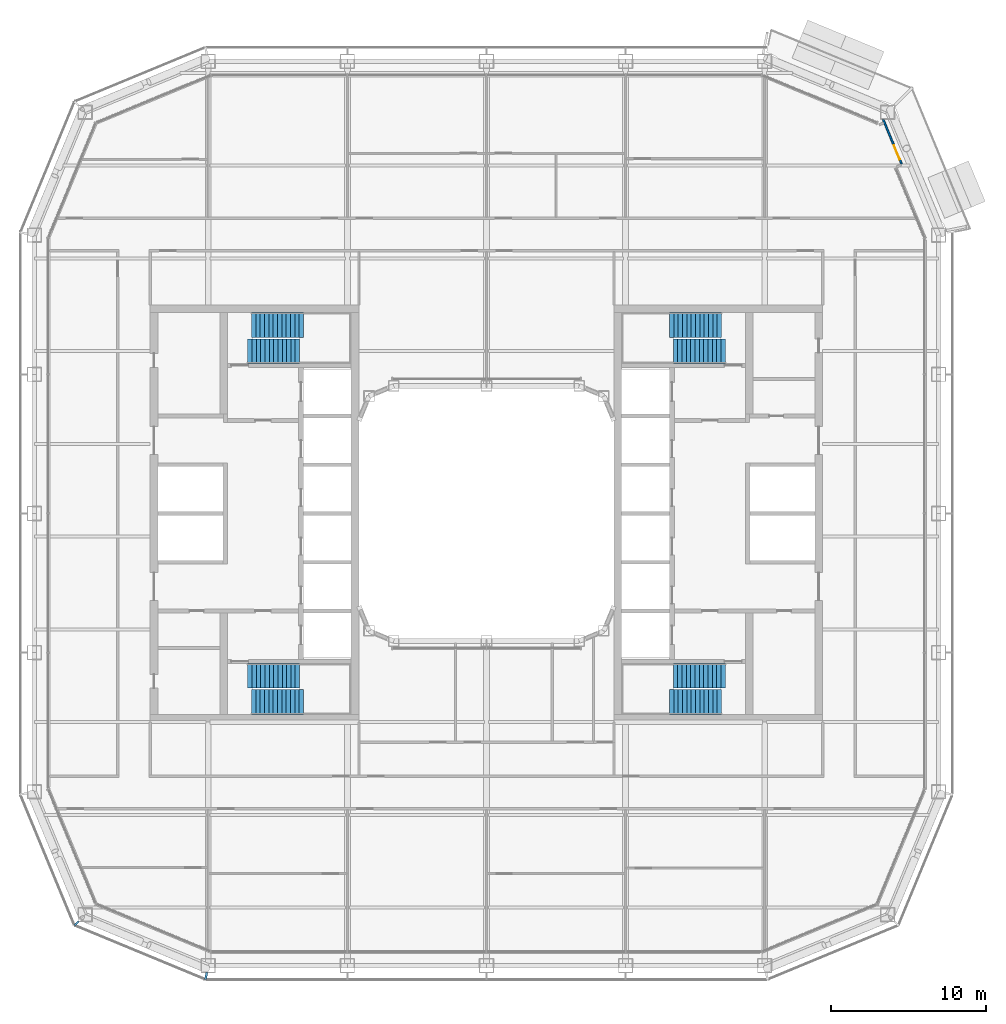
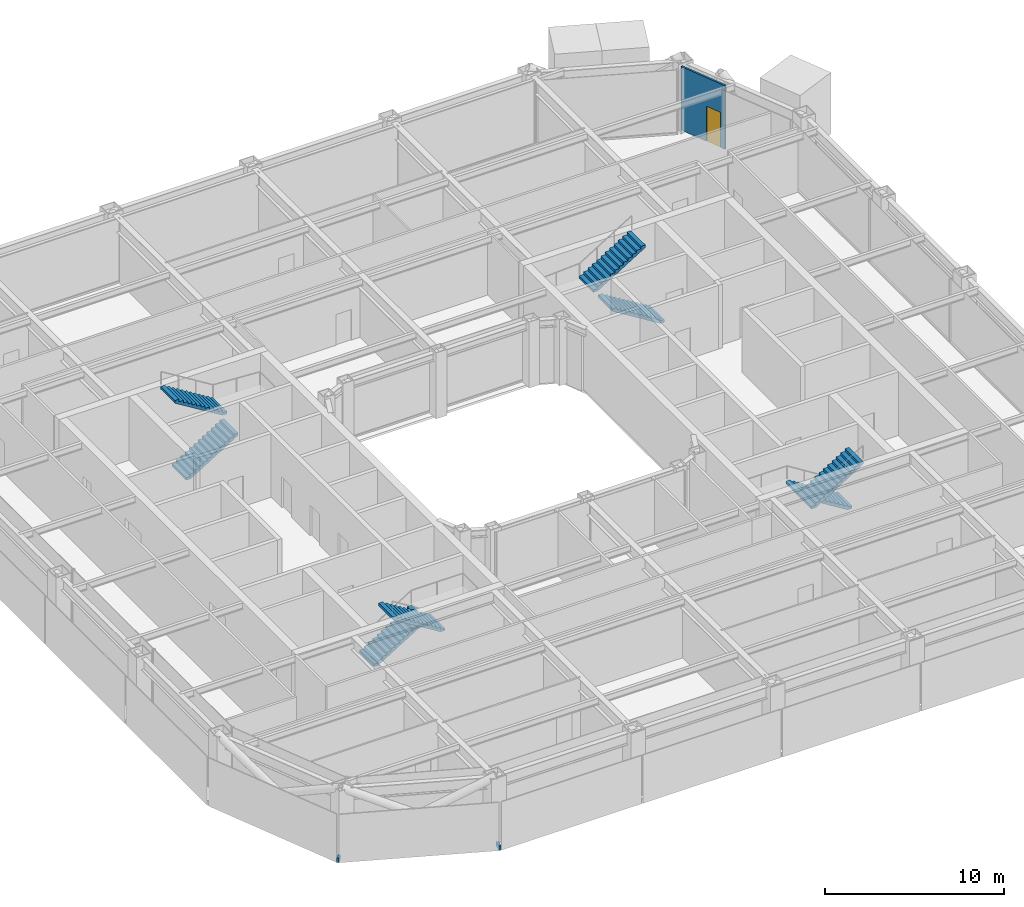
# One storey, part 15 of 24: 8 stair flights, 2 discrete accessories, 1 door, 1 wall, 1 opening, 4 elements without a shape of their own.
"""IFC4 building model written with IfcOpenShell, lengths in metres."""

from ifc_helpers import new_model, si_unit, direction, frame, frame_2d, origin, origin_2d, place, context, subcontext, project, spatial, polyline, rectangle, outline, extrude, material, layer, layer_set, type_object, element, fill, aggregate, save


model = new_model("IFC4")

# Units and contexts
model_context = context("Model", 3, precision=1e-05, world=origin(), true_north=direction((0.0, 1.0)))
body_context = subcontext(model_context, "Body", "Model", "MODEL_VIEW")
ifc_project = project(units=[si_unit("LENGTHUNIT", "METRE"), si_unit("AREAUNIT", "SQUARE_METRE"), si_unit("VOLUMEUNIT", "CUBIC_METRE"), si_unit("PLANEANGLEUNIT", "RADIAN"), si_unit("MASSUNIT", "GRAM", prefix="KILO")], contexts=[model_context])

# Site, building, storey
site_placement = place(None, origin())
site = spatial("IfcSite", under=ifc_project, at=site_placement, CompositionType="ELEMENT")
building_placement = place(site_placement, origin())
building = spatial("IfcBuilding", under=site, at=building_placement, Name="Siwar Civic Tower", CompositionType="ELEMENT")
storey_placement = place(building_placement, frame((0.0, 0.0, 113.699951171875)))
storey = spatial("IfcBuildingStorey", under=building, at=storey_placement, Name="L24", CompositionType="ELEMENT", Elevation=113.699951171875)

# Wall, opening, door
ifc_material_1 = material(Name="Aluminium clad insulated panel", Category="aluminium")
ifc_layer = layer(ifc_material_1, 0.1201171875)
ifc_layer_set = layer_set([ifc_layer], Name="Aluminium clad insulated panel")
wall_type = type_object("IfcWallType", Name="ENV-WALL-BAL", PredefinedType="STANDARD", material=ifc_layer_set)
wall_placement = place(storey_placement, frame((26.8515625, 22.614501953125, 0.0), z_axis=(0.0, 0.0, 1.0), x_axis=(-0.382708655389, 0.923869084389, 0.0)))
wall = element("IfcWall", 1, at=wall_placement, inside=storey, type_object=wall_type, Name="Balcony door wall NE1", PredefinedType="STANDARD", context=body_context, shape_type="SweptSolid", body=[
    extrude(rectangle(XDim=3.1015625, YDim=0.1201171875, at=frame_2d((1.55078125, 0.0))), origin(), (0.0, 0.0, 1.0), 4.35009765625),
])
opening_placement = place(wall_placement, frame((0.300048828125, 0.0, 0.0)))
opening = element("IfcOpeningElement", 2, at=opening_placement, cuts=wall, Name="Opening D-BAL", PredefinedType="OPENING", context=body_context, shape_type="SweptSolid", body=[
    extrude(rectangle(XDim=1.0, YDim=2.39990234375, at=frame_2d((0.5, 1.199951171875))), frame((0.0, 0.070068359375, 0.0), z_axis=(0.0, -1.0, 0.0), x_axis=(1.0, 0.0, 0.0)), (0.0, 0.0, 1.0), 0.14013671875),
])
ifc_material_2 = material(Name="Aluminium and glass", Category="aluminium")
door_type = type_object("IfcDoorType", Name="ENV-DOOR-BAL", OperationType="SINGLE_SWING_LEFT", PredefinedType="DOOR", material=ifc_material_2)
door_placement = place(opening_placement, origin())
door = element("IfcDoor", 3, at=door_placement, inside=storey, type_object=door_type, Name="Balcony door NE", OperationType="SINGLE_SWING_LEFT", OverallHeight=2.39990234375, OverallWidth=1.0, PredefinedType="DOOR", context=body_context, shape_type="SweptSolid", body=[
    extrude(rectangle(XDim=1.0, YDim=2.39990234375, at=frame_2d((0.5, 1.199951171875))), frame((0.0, 0.02490234375, 0.0), z_axis=(0.0, -1.0, 0.0), x_axis=(1.0, 0.0, 0.0)), (0.0, 0.0, 1.0), 0.050048828125),
])
fill(opening, door)

# Stair, stair flights
ifc_material_3 = material(Name="Concrete C40/50", Category="concrete")
stair_type = type_object("IfcStairType", Name="CORE-STAIR", PredefinedType="TWO_STRAIGHT_RUN_STAIR", material=ifc_material_3)
stair_1_placement = place(storey_placement, origin())
stair_1 = element("IfcStair", 4, at=stair_1_placement, inside=storey, type_object=stair_type, Name="Exit stair ST1", PredefinedType="TWO_STRAIGHT_RUN_STAIR")
ifc_material_4 = material(Name="Concrete C40/50", Category="concrete")
stair_flight_type = type_object("IfcStairFlightType", Name="CORE-STAIR-FLIGHT", PredefinedType="STRAIGHT", material=ifc_material_4)
stair_flight_1_placement = place(storey_placement, frame((-15.449951171875, 10.5, 0.0), z_axis=(0.0, 0.0, 1.0), x_axis=(1.0, 0.0, 0.0)))
stair_flight_1 = element("IfcStairFlight", 5, at=stair_flight_1_placement, type_object=stair_flight_type, Name="ST1 flight 1", NumberOfRisers=13, NumberOfTreads=12, PredefinedType="STRAIGHT", RiserHeight=0.173076923, TreadLength=0.28, context=body_context, shape_type="SweptSolid", body=[
    extrude(outline(polyline([(0.0, 0.0), (0.0, 0.173095703125), (0.280029296875, 0.173095703125), (0.280029296875, 0.34619140625), (0.56005859375, 0.34619140625), (0.56005859375, 0.519287109375), (0.840087890625, 0.519287109375), (0.840087890625, 0.6923828125), (1.1201171875, 0.6923828125), (1.1201171875, 0.865478515625), (1.39990234375, 0.865478515625), (1.39990234375, 1.03857421875), (1.679931640625, 1.03857421875), (1.679931640625, 1.21142578125), (1.9599609375, 1.21142578125), (1.9599609375, 1.384521484375), (2.239990234375, 1.384521484375), (2.239990234375, 1.5576171875), (2.52001953125, 1.5576171875), (2.52001953125, 1.730712890625), (2.800048828125, 1.730712890625), (2.800048828125, 1.90380859375), (3.080078125, 1.90380859375), (3.080078125, 2.076904296875), (3.360107421875, 2.076904296875), (3.360107421875, 2.25), (3.360107421875, 1.900634765625), (0.28515625, 0.0), (0.0, 0.0)])), frame((0.0, 0.800048828125, 0.0), z_axis=(0.0, -1.0, 0.0), x_axis=(1.0, 0.0, 0.0)), (0.0, 0.0, 1.0), 1.60009765625),
])
stair_flight_2_placement = place(storey_placement, frame((-11.840087890625, 12.199951171875, 2.25), z_axis=(0.0, 0.0, 1.0), x_axis=(-1.0, 0.0, 0.0)))
stair_flight_2 = element("IfcStairFlight", 6, at=stair_flight_2_placement, type_object=stair_flight_type, Name="ST1 flight 2", NumberOfRisers=13, NumberOfTreads=12, PredefinedType="STRAIGHT", RiserHeight=0.173076923, TreadLength=0.28, context=body_context, shape_type="SweptSolid", body=[
    extrude(outline(polyline([(0.0, 0.0), (0.0, 0.173095703125), (0.280029296875, 0.173095703125), (0.280029296875, 0.34619140625), (0.56005859375, 0.34619140625), (0.56005859375, 0.519287109375), (0.840087890625, 0.519287109375), (0.840087890625, 0.6923828125), (1.1201171875, 0.6923828125), (1.1201171875, 0.865478515625), (1.39990234375, 0.865478515625), (1.39990234375, 1.03857421875), (1.679931640625, 1.03857421875), (1.679931640625, 1.21142578125), (1.9599609375, 1.21142578125), (1.9599609375, 1.384521484375), (2.239990234375, 1.384521484375), (2.239990234375, 1.5576171875), (2.52001953125, 1.5576171875), (2.52001953125, 1.730712890625), (2.800048828125, 1.730712890625), (2.800048828125, 1.90380859375), (3.080078125, 1.90380859375), (3.080078125, 2.076904296875), (3.360107421875, 2.076904296875), (3.360107421875, 2.25), (3.360107421875, 1.900634765625), (0.28515625, 0.0), (0.0, 0.0)])), frame((0.0, 0.800048828125, 0.0), z_axis=(0.0, -1.0, 0.0), x_axis=(1.0, 0.0, 0.0)), (0.0, 0.0, 1.0), 1.60009765625),
])
aggregate(stair_1, [stair_flight_1, stair_flight_2])

stair_2_placement = place(storey_placement, origin())
stair_2 = element("IfcStair", 7, at=stair_2_placement, inside=storey, type_object=stair_type, Name="Exit stair ST2", PredefinedType="TWO_STRAIGHT_RUN_STAIR")
stair_flight_3_placement = place(storey_placement, frame((-15.449951171875, -10.5, 0.0), z_axis=(0.0, 0.0, 1.0), x_axis=(1.0, 0.0, 0.0)))
stair_flight_3 = element("IfcStairFlight", 8, at=stair_flight_3_placement, type_object=stair_flight_type, Name="ST2 flight 1", NumberOfRisers=13, NumberOfTreads=12, PredefinedType="STRAIGHT", RiserHeight=0.173076923, TreadLength=0.28, context=body_context, shape_type="SweptSolid", body=[
    extrude(outline(polyline([(0.0, 0.0), (0.0, 0.173095703125), (0.280029296875, 0.173095703125), (0.280029296875, 0.34619140625), (0.56005859375, 0.34619140625), (0.56005859375, 0.519287109375), (0.840087890625, 0.519287109375), (0.840087890625, 0.6923828125), (1.1201171875, 0.6923828125), (1.1201171875, 0.865478515625), (1.39990234375, 0.865478515625), (1.39990234375, 1.03857421875), (1.679931640625, 1.03857421875), (1.679931640625, 1.21142578125), (1.9599609375, 1.21142578125), (1.9599609375, 1.384521484375), (2.239990234375, 1.384521484375), (2.239990234375, 1.5576171875), (2.52001953125, 1.5576171875), (2.52001953125, 1.730712890625), (2.800048828125, 1.730712890625), (2.800048828125, 1.90380859375), (3.080078125, 1.90380859375), (3.080078125, 2.076904296875), (3.360107421875, 2.076904296875), (3.360107421875, 2.25), (3.360107421875, 1.900634765625), (0.28515625, 0.0), (0.0, 0.0)])), frame((0.0, 0.800048828125, 0.0), z_axis=(0.0, -1.0, 0.0), x_axis=(1.0, 0.0, 0.0)), (0.0, 0.0, 1.0), 1.60009765625),
])
stair_flight_4_placement = place(storey_placement, frame((-11.840087890625, -12.199951171875, 2.25), z_axis=(0.0, 0.0, 1.0), x_axis=(-1.0, 0.0, 0.0)))
stair_flight_4 = element("IfcStairFlight", 9, at=stair_flight_4_placement, type_object=stair_flight_type, Name="ST2 flight 2", NumberOfRisers=13, NumberOfTreads=12, PredefinedType="STRAIGHT", RiserHeight=0.173076923, TreadLength=0.28, context=body_context, shape_type="SweptSolid", body=[
    extrude(outline(polyline([(0.0, 0.0), (0.0, 0.173095703125), (0.280029296875, 0.173095703125), (0.280029296875, 0.34619140625), (0.56005859375, 0.34619140625), (0.56005859375, 0.519287109375), (0.840087890625, 0.519287109375), (0.840087890625, 0.6923828125), (1.1201171875, 0.6923828125), (1.1201171875, 0.865478515625), (1.39990234375, 0.865478515625), (1.39990234375, 1.03857421875), (1.679931640625, 1.03857421875), (1.679931640625, 1.21142578125), (1.9599609375, 1.21142578125), (1.9599609375, 1.384521484375), (2.239990234375, 1.384521484375), (2.239990234375, 1.5576171875), (2.52001953125, 1.5576171875), (2.52001953125, 1.730712890625), (2.800048828125, 1.730712890625), (2.800048828125, 1.90380859375), (3.080078125, 1.90380859375), (3.080078125, 2.076904296875), (3.360107421875, 2.076904296875), (3.360107421875, 2.25), (3.360107421875, 1.900634765625), (0.28515625, 0.0), (0.0, 0.0)])), frame((0.0, 0.800048828125, 0.0), z_axis=(0.0, -1.0, 0.0), x_axis=(1.0, 0.0, 0.0)), (0.0, 0.0, 1.0), 1.60009765625),
])
aggregate(stair_2, [stair_flight_3, stair_flight_4])

stair_3_placement = place(storey_placement, origin())
stair_3 = element("IfcStair", 10, at=stair_3_placement, inside=storey, type_object=stair_type, Name="Exit stair ST3", PredefinedType="TWO_STRAIGHT_RUN_STAIR")
stair_flight_5_placement = place(storey_placement, frame((15.449951171875, 10.5, 0.0), z_axis=(0.0, 0.0, 1.0), x_axis=(-1.0, 0.0, 0.0)))
stair_flight_5 = element("IfcStairFlight", 11, at=stair_flight_5_placement, type_object=stair_flight_type, Name="ST3 flight 1", NumberOfRisers=13, NumberOfTreads=12, PredefinedType="STRAIGHT", RiserHeight=0.173076923, TreadLength=0.28, context=body_context, shape_type="SweptSolid", body=[
    extrude(outline(polyline([(0.0, 0.0), (0.0, 0.173095703125), (0.280029296875, 0.173095703125), (0.280029296875, 0.34619140625), (0.56005859375, 0.34619140625), (0.56005859375, 0.519287109375), (0.840087890625, 0.519287109375), (0.840087890625, 0.6923828125), (1.1201171875, 0.6923828125), (1.1201171875, 0.865478515625), (1.39990234375, 0.865478515625), (1.39990234375, 1.03857421875), (1.679931640625, 1.03857421875), (1.679931640625, 1.21142578125), (1.9599609375, 1.21142578125), (1.9599609375, 1.384521484375), (2.239990234375, 1.384521484375), (2.239990234375, 1.5576171875), (2.52001953125, 1.5576171875), (2.52001953125, 1.730712890625), (2.800048828125, 1.730712890625), (2.800048828125, 1.90380859375), (3.080078125, 1.90380859375), (3.080078125, 2.076904296875), (3.360107421875, 2.076904296875), (3.360107421875, 2.25), (3.360107421875, 1.900634765625), (0.28515625, 0.0), (0.0, 0.0)])), frame((0.0, 0.800048828125, 0.0), z_axis=(0.0, -1.0, 0.0), x_axis=(1.0, 0.0, 0.0)), (0.0, 0.0, 1.0), 1.60009765625),
])
stair_flight_6_placement = place(storey_placement, frame((11.840087890625, 12.199951171875, 2.25), z_axis=(0.0, 0.0, 1.0), x_axis=(1.0, 0.0, 0.0)))
stair_flight_6 = element("IfcStairFlight", 12, at=stair_flight_6_placement, type_object=stair_flight_type, Name="ST3 flight 2", NumberOfRisers=13, NumberOfTreads=12, PredefinedType="STRAIGHT", RiserHeight=0.173076923, TreadLength=0.28, context=body_context, shape_type="SweptSolid", body=[
    extrude(outline(polyline([(0.0, 0.0), (0.0, 0.173095703125), (0.280029296875, 0.173095703125), (0.280029296875, 0.34619140625), (0.56005859375, 0.34619140625), (0.56005859375, 0.519287109375), (0.840087890625, 0.519287109375), (0.840087890625, 0.6923828125), (1.1201171875, 0.6923828125), (1.1201171875, 0.865478515625), (1.39990234375, 0.865478515625), (1.39990234375, 1.03857421875), (1.679931640625, 1.03857421875), (1.679931640625, 1.21142578125), (1.9599609375, 1.21142578125), (1.9599609375, 1.384521484375), (2.239990234375, 1.384521484375), (2.239990234375, 1.5576171875), (2.52001953125, 1.5576171875), (2.52001953125, 1.730712890625), (2.800048828125, 1.730712890625), (2.800048828125, 1.90380859375), (3.080078125, 1.90380859375), (3.080078125, 2.076904296875), (3.360107421875, 2.076904296875), (3.360107421875, 2.25), (3.360107421875, 1.900634765625), (0.28515625, 0.0), (0.0, 0.0)])), frame((0.0, 0.800048828125, 0.0), z_axis=(0.0, -1.0, 0.0), x_axis=(1.0, 0.0, 0.0)), (0.0, 0.0, 1.0), 1.60009765625),
])
aggregate(stair_3, [stair_flight_5, stair_flight_6])

stair_4_placement = place(storey_placement, origin())
stair_4 = element("IfcStair", 13, at=stair_4_placement, inside=storey, type_object=stair_type, Name="Exit stair ST4", PredefinedType="TWO_STRAIGHT_RUN_STAIR")
stair_flight_7_placement = place(storey_placement, frame((15.449951171875, -10.5, 0.0), z_axis=(0.0, 0.0, 1.0), x_axis=(-1.0, 0.0, 0.0)))
stair_flight_7 = element("IfcStairFlight", 14, at=stair_flight_7_placement, type_object=stair_flight_type, Name="ST4 flight 1", NumberOfRisers=13, NumberOfTreads=12, PredefinedType="STRAIGHT", RiserHeight=0.173076923, TreadLength=0.28, context=body_context, shape_type="SweptSolid", body=[
    extrude(outline(polyline([(0.0, 0.0), (0.0, 0.173095703125), (0.280029296875, 0.173095703125), (0.280029296875, 0.34619140625), (0.56005859375, 0.34619140625), (0.56005859375, 0.519287109375), (0.840087890625, 0.519287109375), (0.840087890625, 0.6923828125), (1.1201171875, 0.6923828125), (1.1201171875, 0.865478515625), (1.39990234375, 0.865478515625), (1.39990234375, 1.03857421875), (1.679931640625, 1.03857421875), (1.679931640625, 1.21142578125), (1.9599609375, 1.21142578125), (1.9599609375, 1.384521484375), (2.239990234375, 1.384521484375), (2.239990234375, 1.5576171875), (2.52001953125, 1.5576171875), (2.52001953125, 1.730712890625), (2.800048828125, 1.730712890625), (2.800048828125, 1.90380859375), (3.080078125, 1.90380859375), (3.080078125, 2.076904296875), (3.360107421875, 2.076904296875), (3.360107421875, 2.25), (3.360107421875, 1.900634765625), (0.28515625, 0.0), (0.0, 0.0)])), frame((0.0, 0.800048828125, 0.0), z_axis=(0.0, -1.0, 0.0), x_axis=(1.0, 0.0, 0.0)), (0.0, 0.0, 1.0), 1.60009765625),
])
stair_flight_8_placement = place(storey_placement, frame((11.840087890625, -12.199951171875, 2.25), z_axis=(0.0, 0.0, 1.0), x_axis=(1.0, 0.0, 0.0)))
stair_flight_8 = element("IfcStairFlight", 15, at=stair_flight_8_placement, type_object=stair_flight_type, Name="ST4 flight 2", NumberOfRisers=13, NumberOfTreads=12, PredefinedType="STRAIGHT", RiserHeight=0.173076923, TreadLength=0.28, context=body_context, shape_type="SweptSolid", body=[
    extrude(outline(polyline([(0.0, 0.0), (0.0, 0.173095703125), (0.280029296875, 0.173095703125), (0.280029296875, 0.34619140625), (0.56005859375, 0.34619140625), (0.56005859375, 0.519287109375), (0.840087890625, 0.519287109375), (0.840087890625, 0.6923828125), (1.1201171875, 0.6923828125), (1.1201171875, 0.865478515625), (1.39990234375, 0.865478515625), (1.39990234375, 1.03857421875), (1.679931640625, 1.03857421875), (1.679931640625, 1.21142578125), (1.9599609375, 1.21142578125), (1.9599609375, 1.384521484375), (2.239990234375, 1.384521484375), (2.239990234375, 1.5576171875), (2.52001953125, 1.5576171875), (2.52001953125, 1.730712890625), (2.800048828125, 1.730712890625), (2.800048828125, 1.90380859375), (3.080078125, 1.90380859375), (3.080078125, 2.076904296875), (3.360107421875, 2.076904296875), (3.360107421875, 2.25), (3.360107421875, 1.900634765625), (0.28515625, 0.0), (0.0, 0.0)])), frame((0.0, 0.800048828125, 0.0), z_axis=(0.0, -1.0, 0.0), x_axis=(1.0, 0.0, 0.0)), (0.0, 0.0, 1.0), 1.60009765625),
])
aggregate(stair_4, [stair_flight_7, stair_flight_8])

# Discrete accessories
ifc_material_5 = material(Name="Stainless steel 316", Category="steel")
discrete_accessory_type = type_object("IfcDiscreteAccessoryType", Name="ENV-BRACKET", PredefinedType="BRACKET", material=ifc_material_5)
discrete_accessory_1_placement = place(storey_placement, frame((-18.13232421875, -29.915283203125, -0.14990234375), z_axis=(0.0, 0.0, 1.0), x_axis=(-0.195090322016, -0.980785280403, 0.0)))
element("IfcDiscreteAccessory", 16, at=discrete_accessory_1_placement, inside=storey, type_object=discrete_accessory_type, Name="Bracket outer skin joint V00", PredefinedType="BRACKET", context=body_context, shape_type="SweptSolid", body=[
    extrude(rectangle(XDim=0.478759765625, YDim=0.13720703125, at=origin_2d()), origin(), (0.0, 0.0, 1.0), 0.300048828125),
])
discrete_accessory_2_placement = place(storey_placement, frame((-26.517333984375, -26.517333984375, -0.14990234375), z_axis=(0.0, 0.0, 1.0), x_axis=(-0.707106781187, -0.707106781187, 0.0)))
element("IfcDiscreteAccessory", 17, at=discrete_accessory_2_placement, inside=storey, type_object=discrete_accessory_type, Name="Bracket outer skin joint V11", PredefinedType="BRACKET", context=body_context, shape_type="SweptSolid", body=[
    extrude(rectangle(XDim=0.357666015625, YDim=0.12939453125, at=origin_2d()), origin(), (0.0, 0.0, 1.0), 0.300048828125),
])

save(model, "model.ifc")
